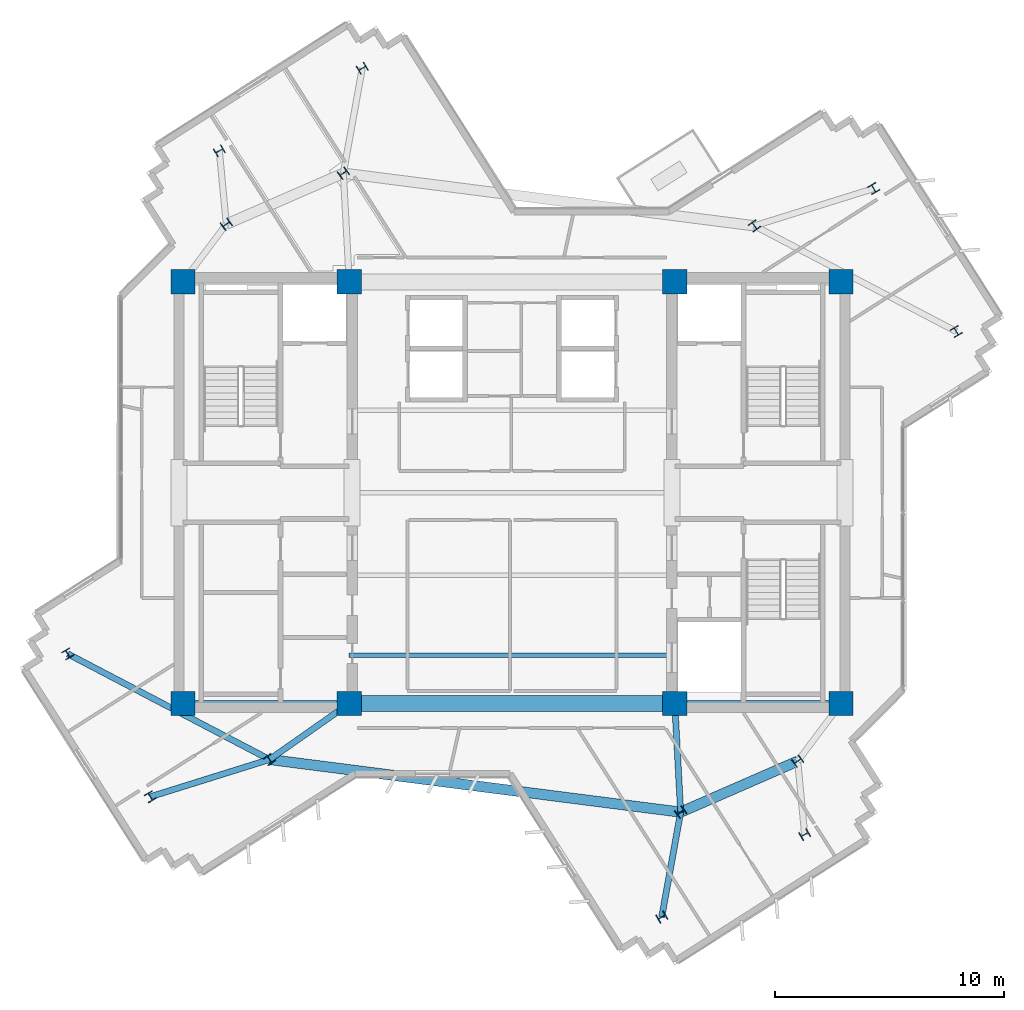
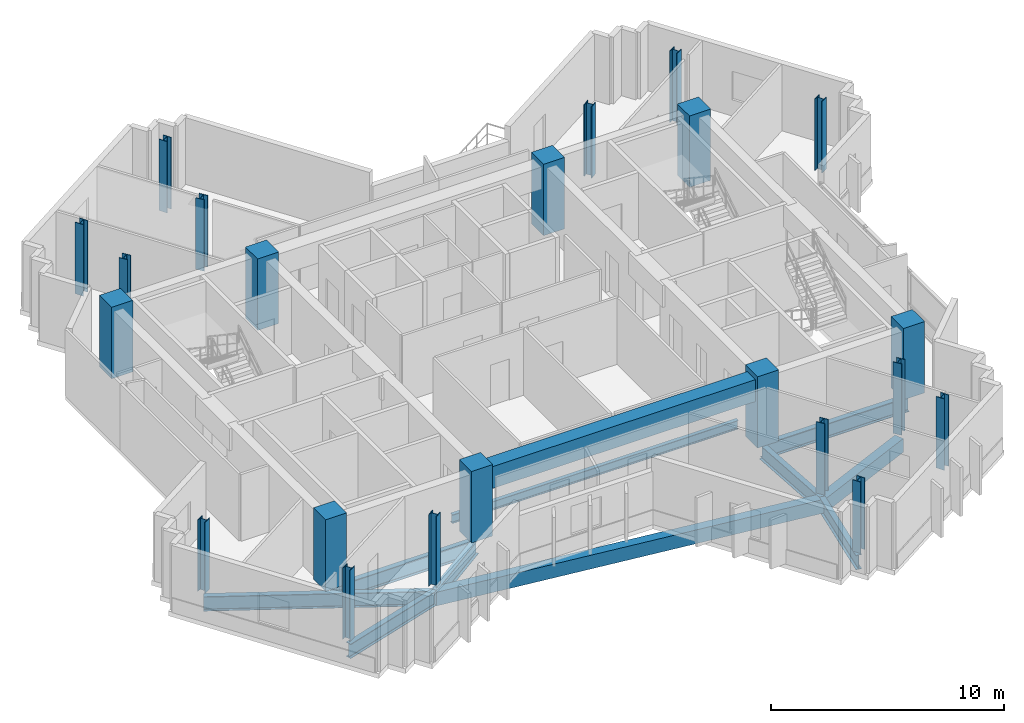
# One storey, part 1 of 12: 22 columns, 11 beams.
"""IFC4 building model written with IfcOpenShell, lengths in metres."""

import ifcopenshell
import ifcopenshell.guid

model = None  # the IFC model being written
_history = None  # IfcOwnerHistory: only IFC2X3 demands one
_inside = {}  # id of a spatial element -> (the spatial element, [elements in it])
_under = {}  # id of a project, library or spatial element -> (it, [spatial elements below it])
_declared = {}  # id of a project -> (the project, [libraries it declares])
_typed = {}  # id of a type object -> (the type object, [elements of that type])
_made_of = {}  # id of a material, layer set ... -> (it, [elements and type objects made of it])


def new_model(schema):
    """Start an empty IFC model of exactly this schema.

    Asked for "IFC4X3", IfcOpenShell would pick the latest addendum, in which some entities
    have other attributes; the version numbers below select the first issue.
    IFC2X3 requires an IfcOwnerHistory on every rooted entity: one is made here for all.
    """
    global model, _history
    if schema == "IFC4X3":
        model = ifcopenshell.file(schema_version=(4, 3, 0, 0))
    else:
        model = ifcopenshell.file(schema=schema)
    _inside.clear()
    _under.clear()
    _declared.clear()
    _typed.clear()
    _made_of.clear()
    _history = None
    if model.schema == "IFC2X3":
        org = make("IfcOrganization", Name="unknown")
        user = make(
            "IfcPersonAndOrganization",
            ThePerson=make("IfcPerson", FamilyName="unknown"),
            TheOrganization=org,
        )
        app = make(
            "IfcApplication",
            ApplicationDeveloper=org,
            Version="unknown",
            ApplicationFullName="unknown",
            ApplicationIdentifier="unknown",
        )
        _history = make(
            "IfcOwnerHistory",
            OwningUser=user,
            OwningApplication=app,
            ChangeAction="ADDED",
            CreationDate=0,
        )
    return model


def make(cls, **values):
    """One entity of the class cls with the attributes given. An attribute that is None is left unset."""
    return model.create_entity(
        cls, **{name: value for name, value in values.items() if value is not None}
    )


def rooted(cls, **values):
    """An entity with a GlobalId (a new one), such as an element, a storey or a relation."""
    return make(cls, GlobalId=ifcopenshell.guid.new(), OwnerHistory=_history, **values)


def si_unit(unit_type, name, prefix=None):
    """IfcSIUnit, for example si_unit("LENGTHUNIT", "METRE", prefix="MILLI")."""
    return make("IfcSIUnit", UnitType=unit_type, Prefix=prefix, Name=name)


def assignment(units):
    """IfcUnitAssignment: the units of a project."""
    return None if units is None else make("IfcUnitAssignment", Units=units)


def point(xyz):
    """IfcCartesianPoint."""
    return None if xyz is None else make("IfcCartesianPoint", Coordinates=xyz)


def direction(xyz):
    """IfcDirection."""
    return None if xyz is None else make("IfcDirection", DirectionRatios=xyz)


def frame(location, z_axis=None, x_axis=None):
    """IfcAxis2Placement3D, a coordinate frame: its origin and axes. An axis left out is left unset."""
    return make(
        "IfcAxis2Placement3D",
        Location=point(location),
        Axis=direction(z_axis),
        RefDirection=direction(x_axis),
    )


def frame_2d(location, x_axis=None):
    """IfcAxis2Placement2D, a coordinate frame in the plane: its origin and x axis."""
    return make(
        "IfcAxis2Placement2D", Location=point(location), RefDirection=direction(x_axis)
    )


def origin():
    """The frame at (0, 0, 0) with its axes left unset."""
    return frame((0.0, 0.0, 0.0))


def origin_2d():
    """The frame at (0, 0) in the plane with its x axis left unset."""
    return frame_2d((0.0, 0.0))


def place(relative_to, where):
    """IfcLocalPlacement: puts the frame where relative to a parent placement (None: the world)."""
    return make(
        "IfcLocalPlacement", PlacementRelTo=relative_to, RelativePlacement=where
    )


def context(
    kind, dimensions, precision=None, world=None, true_north=None, identifier=None
):
    """IfcGeometricRepresentationContext, for example the 3D "Model" context."""
    return make(
        "IfcGeometricRepresentationContext",
        ContextIdentifier=identifier,
        ContextType=kind,
        CoordinateSpaceDimension=dimensions,
        Precision=precision,
        WorldCoordinateSystem=world,
        TrueNorth=true_north,
    )


def subcontext(parent, identifier, kind, view, scale=None):
    """IfcGeometricRepresentationSubContext, for example "Body" below "Model"."""
    return make(
        "IfcGeometricRepresentationSubContext",
        ContextIdentifier=identifier,
        ContextType=kind,
        ParentContext=parent,
        TargetScale=scale,
        TargetView=view,
    )


def project(units=None, contexts=None):
    """IfcProject with its units and contexts."""
    return rooted(
        "IfcProject",
        Name="project",
        RepresentationContexts=contexts,
        UnitsInContext=assignment(units),
    )


def spatial(cls, under=None, at=None, **own):
    """A site, building, storey or space (cls), placed at a placement, below another one or the project."""
    s = rooted(cls, ObjectPlacement=at, **own)
    if under is not None:
        _under.setdefault(under.id(), (under, []))[1].append(s)
    return s


def profile(cls, at=None, kind="AREA", **sizes):
    """A parametric profile (cls). Its sizes go by their IFC names, for example OverallWidth=200.0."""
    return make(cls, ProfileType=kind, Position=at, **sizes)


def rectangle(**sizes):
    """IfcRectangleProfileDef."""
    return profile("IfcRectangleProfileDef", **sizes)


def i_section(**sizes):
    """IfcIShapeProfileDef."""
    return profile("IfcIShapeProfileDef", **sizes)


def extrude(swept, where, along, depth):
    """IfcExtrudedAreaSolid: the profile swept, set in the frame where, extruded along a direction by depth."""
    return make(
        "IfcExtrudedAreaSolid",
        SweptArea=swept,
        Position=where,
        ExtrudedDirection=direction(along),
        Depth=depth,
    )


def shape(context_of_items, identifier, shape_type, items):
    """IfcShapeRepresentation: the items that make up one representation, for example the "Body"."""
    return make(
        "IfcShapeRepresentation",
        ContextOfItems=context_of_items,
        RepresentationIdentifier=identifier,
        RepresentationType=shape_type,
        Items=items,
    )


def source(mapping_origin, context_of_items, identifier, shape_type, items):
    """IfcRepresentationMap: a shape defined once, which mapped items show again and again."""
    return make(
        "IfcRepresentationMap",
        MappingOrigin=mapping_origin,
        MappedRepresentation=shape(context_of_items, identifier, shape_type, items),
    )


def transform(
    local_origin,
    x_axis=None,
    y_axis=None,
    z_axis=None,
    scale=None,
    scale2=None,
    scale3=None,
    uniform=True,
):
    """IfcCartesianTransformationOperator3D, or its non-uniform kind. x_axis, y_axis, z_axis: its Axis1, 2, 3."""
    if uniform:
        return make(
            "IfcCartesianTransformationOperator3D",
            Axis1=direction(x_axis),
            Axis2=direction(y_axis),
            LocalOrigin=point(local_origin),
            Scale=scale,
            Axis3=direction(z_axis),
        )
    return make(
        "IfcCartesianTransformationOperator3DnonUniform",
        Axis1=direction(x_axis),
        Axis2=direction(y_axis),
        LocalOrigin=point(local_origin),
        Scale=scale,
        Axis3=direction(z_axis),
        Scale2=scale2,
        Scale3=scale3,
    )


def mapped(mapping_source, mapping_target):
    """IfcMappedItem: shows the shape of a source again, moved by a transform."""
    return make(
        "IfcMappedItem", MappingSource=mapping_source, MappingTarget=mapping_target
    )


def material(Name=None, Category=None):
    """IfcMaterial."""
    return make("IfcMaterial", Name=Name, Category=Category)


def material_profile(
    of_material, cross_section, Name=None, Category=None, Priority=None
):
    """IfcMaterialProfile: a cross section and its material."""
    return make(
        "IfcMaterialProfile",
        Name=Name,
        Material=of_material,
        Profile=cross_section,
        Priority=Priority,
        Category=Category,
    )


def profile_set(profiles, Name=None, composite=None):
    """IfcMaterialProfileSet."""
    return make(
        "IfcMaterialProfileSet",
        Name=Name,
        MaterialProfiles=profiles,
        CompositeProfile=composite,
    )


def made_of(thing, what):
    """Note that an element or type object is made of a material, layer set ...; save() writes the relation."""
    if what is not None:
        _made_of.setdefault(what.id(), (what, []))[1].append(thing)
    return thing


def type_object(cls, material=None, **own):
    """A type object (cls), such as IfcWallType, which elements share."""
    return made_of(rooted(cls, **own), material)


def element(
    cls,
    number,
    at=None,
    inside=None,
    cuts=None,
    type_object=None,
    material=None,
    context=None,
    identifier="Body",
    shape_type=None,
    held_by="IfcProductDefinitionShape",
    body=None,
    shapes=None,
    **own,
):
    """One element of the class cls, such as IfcWall. Its Tag is "e" and its number.

    at: its placement. inside: the storey or other place that contains it. cuts: it is an
    opening in that element (IfcRelVoidsElement). A single representation is given by context,
    identifier, shape_type and body (its items); several are given by shapes. held_by: the class
    of the entity that holds the representations. save() writes the other relations.
    """
    e = rooted(cls, Tag="e%d" % number, ObjectPlacement=at, **own)
    if body is not None:
        shapes = [shape(context, identifier, shape_type, body)]
    if shapes is not None:
        e.Representation = make(held_by, Representations=shapes)
    if inside is not None:
        _inside.setdefault(inside.id(), (inside, []))[1].append(e)
    if cuts is not None:
        rooted(
            "IfcRelVoidsElement", RelatingBuildingElement=cuts, RelatedOpeningElement=e
        )
    if type_object is not None:
        _typed.setdefault(type_object.id(), (type_object, []))[1].append(e)
    return made_of(e, material)


def aggregate(whole, parts):
    """IfcRelAggregates: a whole, such as a stair, and the parts it consists of."""
    return rooted("IfcRelAggregates", RelatingObject=whole, RelatedObjects=parts)


def save(model, path):
    """Write the relations noted so far, then the file.

    IfcRelAggregates (storeys below a building ...), IfcRelContainedInSpatialStructure (elements
    in a storey), IfcRelDefinesByType, IfcRelAssociatesMaterial and IfcRelDeclares: one each for
    every whole, place, type object, material and project.
    """
    for whole, parts in _under.values():
        aggregate(whole, parts)
    for where, things in _inside.values():
        rooted(
            "IfcRelContainedInSpatialStructure",
            RelatedElements=things,
            RelatingStructure=where,
        )
    for kind, things in _typed.values():
        rooted("IfcRelDefinesByType", RelatedObjects=things, RelatingType=kind)
    for what, things in _made_of.values():
        rooted("IfcRelAssociatesMaterial", RelatedObjects=things, RelatingMaterial=what)
    for by, libraries in _declared.values():
        rooted("IfcRelDeclares", RelatingContext=by, RelatedDefinitions=libraries)
    model.write(path)


model = new_model("IFC4")

# Units and contexts
model_context = context("Model", 3, precision=1e-05, world=origin(), true_north=direction((0.0, 1.0)))
body_context = subcontext(model_context, "Body", "Model", "MODEL_VIEW")
ifc_project = project(units=[si_unit("LENGTHUNIT", "METRE"), si_unit("AREAUNIT", "SQUARE_METRE"), si_unit("VOLUMEUNIT", "CUBIC_METRE"), si_unit("PLANEANGLEUNIT", "RADIAN"), si_unit("MASSUNIT", "GRAM", prefix="KILO")], contexts=[model_context])

# Site, building, storey
site_placement = place(None, origin())
site = spatial("IfcSite", under=ifc_project, at=site_placement, CompositionType="ELEMENT")
building_placement = place(site_placement, origin())
building = spatial("IfcBuilding", under=site, at=building_placement, Name="Zahravan Cultural Tower", CompositionType="ELEMENT")
storey_placement = place(building_placement, frame((0.0, 0.0, 261.60009765625)))
storey = spatial("IfcBuildingStorey", under=building, at=storey_placement, Name="L62", CompositionType="ELEMENT", Elevation=261.60009765625)

# Columns
ifc_material_1 = material(Name="Concrete C50/60", Category="concrete")
ifc_material_profile_1 = material_profile(ifc_material_1, rectangle(XDim=1.050048828125, YDim=1.050048828125, at=origin_2d()), Name="RC1050X1050")
ifc_profile_set_1 = profile_set([ifc_material_profile_1], Name="Concrete C50/60")
column_type_1 = type_object("IfcColumnType", Name="COL-RC1050", PredefinedType="COLUMN", material=ifc_profile_set_1)
shared_shape_1 = source(origin(), body_context, "Body", "SweptSolid", [
    extrude(rectangle(XDim=1.050048828125, YDim=1.050048828125, at=origin_2d()), origin(), (0.0, 0.0, 1.0), 3.75),
])
for number, where, z_axis, x_axis, name in (
    (1, (21.64990234375, 17.800048828125, 0.0), (0.0, 0.0, 1.0), (1.0, 0.0, 0.0), "L62 Column CC-W1"),
    (2, (28.89990234375, 17.800048828125, 0.0), (0.0, 0.0, 1.0), (1.0, 0.0, 0.0), "L62 Column CC-W2"),
    (3, (21.64990234375, 36.199951171875, 0.0), (0.0, 0.0, 1.0), (1.0, 0.0, 0.0), "L62 Column CC-W3"),
    (4, (28.89990234375, 36.199951171875, 0.0), (0.0, 0.0, 1.0), (1.0, 0.0, 0.0), "L62 Column CC-W4"),
    (5, (43.10009765625, 17.800048828125, 0.0), (0.0, 0.0, 1.0), (1.0, 0.0, 0.0), "L62 Column CC-E1"),
    (6, (50.35009765625, 17.800048828125, 0.0), (0.0, 0.0, 1.0), (1.0, 0.0, 0.0), "L62 Column CC-E2"),
    (7, (43.10009765625, 36.199951171875, 0.0), (0.0, 0.0, 1.0), (1.0, 0.0, 0.0), "L62 Column CC-E3"),
    (8, (50.35009765625, 36.199951171875, 0.0), (0.0, 0.0, 1.0), (1.0, 0.0, 0.0), "L62 Column CC-E4"),
):
    element("IfcColumn", number, at=place(storey_placement, frame(where, z_axis=z_axis, x_axis=x_axis)), inside=storey, type_object=column_type_1, Name=name, PredefinedType="COLUMN", context=body_context, shape_type="MappedRepresentation", body=[
        mapped(shared_shape_1, transform((0.0, 0.0, 0.0), x_axis=(1.0, 0.0, 0.0), y_axis=(0.0, 1.0, 0.0), z_axis=(0.0, 0.0, 1.0), scale=1.0)),
    ])
ifc_material_2 = material(Name="Steel ASTM A992 Grade 50", Category="steel")
ifc_material_profile_2 = material_profile(ifc_material_2, i_section(OverallWidth=0.39892578125, OverallDepth=0.385986328125, WebThickness=0.02099609375, FlangeThickness=0.033203125, FilletRadius=0.01806640625, at=origin_2d()), Name="W14X176")
ifc_profile_set_2 = profile_set([ifc_material_profile_2], Name="Steel ASTM A992 Grade 50")
column_type_2 = type_object("IfcColumnType", Name="COL-W14X176", PredefinedType="COLUMN", material=ifc_profile_set_2)
shared_shape_2 = source(origin(), body_context, "Body", "SweptSolid", [
    extrude(i_section(OverallWidth=0.39892578125, OverallDepth=0.385986328125, WebThickness=0.02099609375, FlangeThickness=0.033203125, FilletRadius=0.01806640625, at=origin_2d()), origin(), (0.0, 0.0, 1.0), 3.75),
])
for number, where, z_axis, x_axis, name in (
    (9, (46.577880859375, 38.640625, 0.0), (0.0, 0.0, 1.0), (0.809016994375, 0.587785252292, 0.0), "L62 Column Z3C-E2"),
    (10, (28.642578125, 40.937255859375, 0.0), (0.0, 0.0, 1.0), (-0.587785252292, 0.809016994375, 0.0), "L62 Column Z3C-N1"),
    (11, (23.536376953125, 38.710693359375, 0.0), (0.0, 0.0, 1.0), (-0.587785252292, 0.809016994375, 0.0), "L62 Column Z3C-N2"),
    (12, (25.422119140625, 15.359375, 0.0), (0.0, 0.0, 1.0), (0.809016994375, 0.587785252292, 0.0), "L62 Column Z3C-W2"),
    (13, (43.357421875, 13.062744140625, 0.0), (0.0, 0.0, 1.0), (-0.587785252292, 0.809016994375, 0.0), "L62 Column Z3C-S1"),
    (14, (48.463623046875, 15.289306640625, 0.0), (0.0, 0.0, 1.0), (-0.587785252292, 0.809016994375, 0.0), "L62 Column Z3C-S2"),
    (15, (55.38037109375, 34.0322265625, 0.0), (0.0, 0.0, 1.0), (0.866025403784, 0.5, 0.0), "L62 Column Z3T-E1"),
    (16, (51.7802734375, 40.267578125, 0.0), (0.0, 0.0, 1.0), (0.866025403784, 0.5, 0.0), "L62 Column Z3T-E2"),
    (17, (29.4677734375, 45.514404296875, 0.0), (0.0, 0.0, 1.0), (-0.5, 0.866025403784, 0.0), "L62 Column Z3T-N1"),
    (18, (23.232421875, 41.914306640625, 0.0), (0.0, 0.0, 1.0), (-0.5, 0.866025403784, 0.0), "L62 Column Z3T-N2"),
    (19, (16.61962890625, 19.9677734375, 0.0), (0.0, 0.0, 1.0), (0.866025403784, 0.5, 0.0), "L62 Column Z3T-W1"),
    (20, (20.2197265625, 13.732421875, 0.0), (0.0, 0.0, 1.0), (0.866025403784, 0.5, 0.0), "L62 Column Z3T-W2"),
    (21, (42.5322265625, 8.485595703125, 0.0), (0.0, 0.0, 1.0), (-0.5, 0.866025403784, 0.0), "L62 Column Z3T-S1"),
    (22, (48.767578125, 12.085693359375, 0.0), (0.0, 0.0, 1.0), (-0.5, 0.866025403784, 0.0), "L62 Column Z3T-S2"),
):
    element("IfcColumn", number, at=place(storey_placement, frame(where, z_axis=z_axis, x_axis=x_axis)), inside=storey, type_object=column_type_2, Name=name, PredefinedType="COLUMN", context=body_context, shape_type="MappedRepresentation", body=[
        mapped(shared_shape_2, transform((0.0, 0.0, 0.0), x_axis=(1.0, 0.0, 0.0), y_axis=(0.0, 1.0, 0.0), z_axis=(0.0, 0.0, 1.0), scale=1.0)),
    ])

# Beams
ifc_material_profile_3 = material_profile(ifc_material_1, rectangle(XDim=0.699951171875, YDim=1.14990234375, at=origin_2d()), Name="RC700X1150")
ifc_profile_set_3 = profile_set([ifc_material_profile_3], Name="Concrete C50/60")
beam_type_1 = type_object("IfcBeamType", Name="BM-LN-RC700X1150", PredefinedType="LINTEL", material=ifc_profile_set_3)
shared_shape_3 = source(origin(), body_context, "Body", "SweptSolid", [
    extrude(rectangle(XDim=0.699951171875, YDim=1.14990234375, at=origin_2d()), origin(), (0.0, 0.0, 1.0), 14.2001953125),
])
beam_1_placement = place(storey_placement, frame((28.89990234375, 17.800048828125, 2.9248046875), z_axis=(1.0, 0.0, 0.0), x_axis=(0.0, 1.0, 0.0)))
element("IfcBeam", 23, at=beam_1_placement, inside=storey, type_object=beam_type_1, Name="L62 Beam LN-L62-S", PredefinedType="LINTEL", context=body_context, shape_type="MappedRepresentation", body=[
    mapped(shared_shape_3, transform((0.0, 0.0, 0.0), x_axis=(1.0, 0.0, 0.0), y_axis=(0.0, 1.0, 0.0), z_axis=(0.0, 0.0, 1.0), scale=1.0)),
])
ifc_material_profile_4 = material_profile(ifc_material_2, i_section(OverallWidth=0.26611328125, OverallDepth=0.780029296875, WebThickness=0.0166015625, FlangeThickness=0.030029296875, FilletRadius=0.01904296875, at=origin_2d()), Name="W30X148")
ifc_profile_set_4 = profile_set([ifc_material_profile_4], Name="Steel ASTM A992 Grade 50")
beam_type_2 = type_object("IfcBeamType", Name="BM-G-W30X148", PredefinedType="BEAM", material=ifc_profile_set_4)
shared_shape_4 = source(origin(), body_context, "Body", "SweptSolid", [
    extrude(i_section(OverallWidth=0.26611328125, OverallDepth=0.780029296875, WebThickness=0.0166015625, FlangeThickness=0.030029296875, FilletRadius=0.01904296875, at=origin_2d()), origin(), (0.0, 0.0, 1.0), 7.25),
])
for number, where, z_axis, x_axis, name in (
    (24, (21.64990234375, 17.800048828125, -0.64013671875), (1.0, 0.0, 0.0), (0.0, 1.0, 0.0), "L62 Beam BG-L62-01"),
    (25, (43.10009765625, 17.800048828125, -0.64013671875), (1.0, 0.0, 0.0), (0.0, 1.0, 0.0), "L62 Beam BG-L62-04"),
):
    element("IfcBeam", number, at=place(storey_placement, frame(where, z_axis=z_axis, x_axis=x_axis)), inside=storey, type_object=beam_type_2, Name=name, PredefinedType="BEAM", context=body_context, shape_type="MappedRepresentation", body=[
        mapped(shared_shape_4, transform((0.0, 0.0, 0.0), x_axis=(1.0, 0.0, 0.0), y_axis=(0.0, 1.0, 0.0), z_axis=(0.0, 0.0, 1.0), scale=1.0)),
    ])
ifc_material_profile_5 = material_profile(ifc_material_2, i_section(OverallWidth=0.26708984375, OverallDepth=0.761962890625, WebThickness=0.014404296875, FlangeThickness=0.021484375, FilletRadius=0.01904296875, at=origin_2d()), Name="W30X116")
ifc_profile_set_5 = profile_set([ifc_material_profile_5], Name="Steel ASTM A992 Grade 50")
beam_type_3 = type_object("IfcBeamType", Name="BM-G-W30X116", PredefinedType="BEAM", material=ifc_profile_set_5)
shared_shape_5 = source(origin(), body_context, "Body", "SweptSolid", [
    extrude(i_section(OverallWidth=0.26708984375, OverallDepth=0.761962890625, WebThickness=0.014404296875, FlangeThickness=0.021484375, FilletRadius=0.01904296875, at=origin_2d()), origin(), (0.0, 0.0, 1.0), 4.248779296875),
])
beam_2_placement = place(storey_placement, frame((28.89990234375, 17.800048828125, -0.631103515625), z_axis=(-0.81854294596, -0.574445337365, 0.0), x_axis=(0.574445337365, -0.81854294596, 0.0)))
element("IfcBeam", 26, at=beam_2_placement, inside=storey, type_object=beam_type_3, Name="L62 Beam BG-L62-07", PredefinedType="BEAM", context=body_context, shape_type="MappedRepresentation", body=[
    mapped(shared_shape_5, transform((0.0, 0.0, 0.0), x_axis=(1.0, 0.0, 0.0), y_axis=(0.0, 1.0, 0.0), z_axis=(0.0, 0.0, 1.0), scale=1.0)),
])
shared_shape_6 = source(origin(), body_context, "Body", "SweptSolid", [
    extrude(i_section(OverallWidth=0.26708984375, OverallDepth=0.761962890625, WebThickness=0.014404296875, FlangeThickness=0.021484375, FilletRadius=0.01904296875, at=origin_2d()), origin(), (0.0, 0.0, 1.0), 4.744384765625),
])
beam_3_placement = place(storey_placement, frame((43.10009765625, 17.800048828125, -0.631103515625), z_axis=(0.054238739845, -0.998527996152, 0.0), x_axis=(0.998527996152, 0.054238739845, 0.0)))
element("IfcBeam", 27, at=beam_3_placement, inside=storey, type_object=beam_type_3, Name="L62 Beam BG-L62-08", PredefinedType="BEAM", context=body_context, shape_type="MappedRepresentation", body=[
    mapped(shared_shape_6, transform((0.0, 0.0, 0.0), x_axis=(1.0, 0.0, 0.0), y_axis=(0.0, 1.0, 0.0), z_axis=(0.0, 0.0, 1.0), scale=1.0)),
])
shared_shape_7 = source(origin(), body_context, "Body", "SweptSolid", [
    extrude(i_section(OverallWidth=0.26708984375, OverallDepth=0.761962890625, WebThickness=0.014404296875, FlangeThickness=0.021484375, FilletRadius=0.01904296875, at=origin_2d()), origin(), (0.0, 0.0, 1.0), 9.935791015625),
])
beam_4_placement = place(storey_placement, frame((25.422119140625, 15.359375, -0.631103515625), z_axis=(-0.885932031042, 0.463815088558, 0.0), x_axis=(-0.463815088558, -0.885932031042, 0.0)))
element("IfcBeam", 28, at=beam_4_placement, inside=storey, type_object=beam_type_3, Name="L62 Beam BG-L62-16", PredefinedType="BEAM", context=body_context, shape_type="MappedRepresentation", body=[
    mapped(shared_shape_7, transform((0.0, 0.0, 0.0), x_axis=(1.0, 0.0, 0.0), y_axis=(0.0, 1.0, 0.0), z_axis=(0.0, 0.0, 1.0), scale=1.0)),
])
shared_shape_8 = source(origin(), body_context, "Body", "SweptSolid", [
    extrude(i_section(OverallWidth=0.26708984375, OverallDepth=0.761962890625, WebThickness=0.014404296875, FlangeThickness=0.021484375, FilletRadius=0.01904296875, at=origin_2d()), origin(), (0.0, 0.0, 1.0), 5.450927734375),
])
beam_5_placement = place(storey_placement, frame((25.422119140625, 15.359375, -0.631103515625), z_axis=(-0.954416996605, -0.298476459025, 0.0), x_axis=(0.298476459025, -0.954416996605, 0.0)))
element("IfcBeam", 29, at=beam_5_placement, inside=storey, type_object=beam_type_3, Name="L62 Beam BG-L62-17", PredefinedType="BEAM", context=body_context, shape_type="MappedRepresentation", body=[
    mapped(shared_shape_8, transform((0.0, 0.0, 0.0), x_axis=(1.0, 0.0, 0.0), y_axis=(0.0, 1.0, 0.0), z_axis=(0.0, 0.0, 1.0), scale=1.0)),
])
shared_shape_9 = source(origin(), body_context, "Body", "SweptSolid", [
    extrude(i_section(OverallWidth=0.26708984375, OverallDepth=0.761962890625, WebThickness=0.014404296875, FlangeThickness=0.021484375, FilletRadius=0.01904296875, at=origin_2d()), origin(), (0.0, 0.0, 1.0), 4.65087890625),
])
beam_6_placement = place(storey_placement, frame((43.357421875, 13.062744140625, -0.631103515625), z_axis=(-0.177425522697, -0.984134230629, 0.0), x_axis=(0.984134230629, -0.177425522697, 0.0)))
element("IfcBeam", 30, at=beam_6_placement, inside=storey, type_object=beam_type_3, Name="L62 Beam BG-L62-18", PredefinedType="BEAM", context=body_context, shape_type="MappedRepresentation", body=[
    mapped(shared_shape_9, transform((0.0, 0.0, 0.0), x_axis=(1.0, 0.0, 0.0), y_axis=(0.0, 1.0, 0.0), z_axis=(0.0, 0.0, 1.0), scale=1.0)),
])
ifc_material_3 = material(Name="Concrete C45/55", Category="concrete")
ifc_material_profile_6 = material_profile(ifc_material_3, rectangle(XDim=0.449951171875, YDim=0.719970703125, at=origin_2d()), Name="RC450X720")
ifc_profile_set_6 = profile_set([ifc_material_profile_6], Name="Concrete C45/55")
beam_type_4 = type_object("IfcBeamType", Name="BM-SP-RC450X720", PredefinedType="SPANDREL", material=ifc_profile_set_6)
shared_shape_10 = source(origin(), body_context, "Body", "SweptSolid", [
    extrude(rectangle(XDim=0.449951171875, YDim=0.719970703125, at=origin_2d()), origin(), (0.0, 0.0, 1.0), 18.081787109375),
])
beam_7_placement = place(storey_placement, frame((25.422119140625, 15.359375, -0.610107421875), z_axis=(0.991900954377, -0.127013765812, 0.0), x_axis=(0.127013765812, 0.991900954377, 0.0)))
element("IfcBeam", 31, at=beam_7_placement, inside=storey, type_object=beam_type_4, Name="L62 Beam SP-L62-20", PredefinedType="SPANDREL", context=body_context, shape_type="MappedRepresentation", body=[
    mapped(shared_shape_10, transform((0.0, 0.0, 0.0), x_axis=(1.0, 0.0, 0.0), y_axis=(0.0, 1.0, 0.0), z_axis=(0.0, 0.0, 1.0), scale=1.0)),
])
shared_shape_11 = source(origin(), body_context, "Body", "SweptSolid", [
    extrude(rectangle(XDim=0.449951171875, YDim=0.719970703125, at=origin_2d()), origin(), (0.0, 0.0, 1.0), 5.570556640625),
])
beam_8_placement = place(storey_placement, frame((43.357421875, 13.062744140625, -0.610107421875), z_axis=(0.9166445026, 0.399703459896, 0.0), x_axis=(-0.399703459896, 0.9166445026, 0.0)))
element("IfcBeam", 32, at=beam_8_placement, inside=storey, type_object=beam_type_4, Name="L62 Beam SP-L62-21", PredefinedType="SPANDREL", context=body_context, shape_type="MappedRepresentation", body=[
    mapped(shared_shape_11, transform((0.0, 0.0, 0.0), x_axis=(1.0, 0.0, 0.0), y_axis=(0.0, 1.0, 0.0), z_axis=(0.0, 0.0, 1.0), scale=1.0)),
])
ifc_material_profile_7 = material_profile(ifc_material_2, i_section(OverallWidth=0.18994140625, OverallDepth=0.45703125, WebThickness=0.009033203125, FlangeThickness=0.014404296875, FilletRadius=0.012939453125, at=origin_2d()), Name="W18X50")
ifc_profile_set_7 = profile_set([ifc_material_profile_7], Name="Steel ASTM A992 Grade 50")
beam_type_5 = type_object("IfcBeamType", Name="BM-J-W18X50", PredefinedType="JOIST", material=ifc_profile_set_7)
shared_shape_12 = source(origin(), body_context, "Body", "SweptSolid", [
    extrude(i_section(OverallWidth=0.18994140625, OverallDepth=0.45703125, WebThickness=0.009033203125, FlangeThickness=0.014404296875, FilletRadius=0.012939453125, at=origin_2d()), origin(), (0.0, 0.0, 1.0), 14.2001953125),
])
beam_9_placement = place(storey_placement, frame((28.89990234375, 19.89990234375, -0.478515625), z_axis=(1.0, 0.0, 0.0), x_axis=(0.0, 1.0, 0.0)))
element("IfcBeam", 33, at=beam_9_placement, inside=storey, type_object=beam_type_5, Name="L62 Beam BJ-L62-24", PredefinedType="JOIST", context=body_context, shape_type="MappedRepresentation", body=[
    mapped(shared_shape_12, transform((0.0, 0.0, 0.0), x_axis=(1.0, 0.0, 0.0), y_axis=(0.0, 1.0, 0.0), z_axis=(0.0, 0.0, 1.0), scale=1.0)),
])

save(model, "model.ifc")
